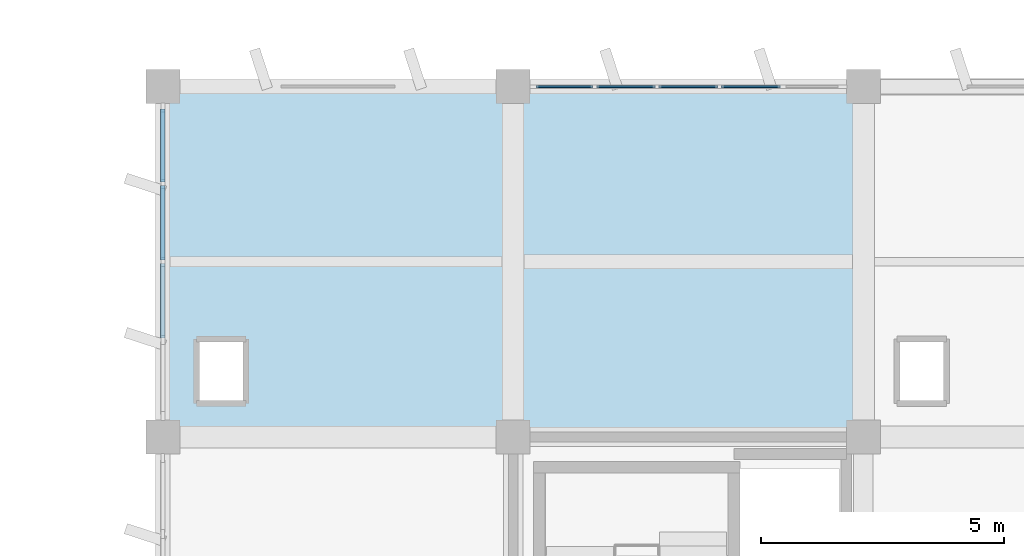
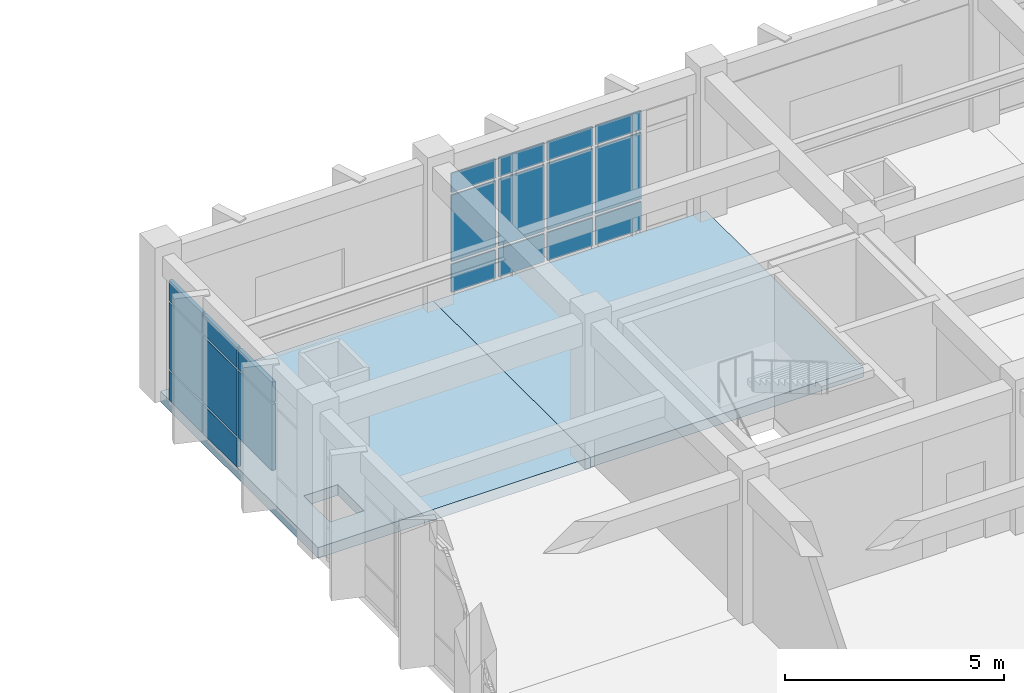
# One storey, part 41 of 70: 20 plates, 2 slabs, 2 elements without a shape of their own.
"""IFC4 building model written with IfcOpenShell, lengths in metres."""

from ifc_helpers import new_model, si_unit, direction, frame, origin, origin_2d, place, context, subcontext, project, spatial, polyline, rectangle, outline, extrude, material, layer, layer_set, type_object, element, aggregate, save


model = new_model("IFC4")

# Units and contexts
model_context = context("Model", 3, precision=1e-05, world=origin(), true_north=direction((0.0, 1.0)))
body_context = subcontext(model_context, "Body", "Model", "MODEL_VIEW")
ifc_project = project(units=[si_unit("LENGTHUNIT", "METRE"), si_unit("AREAUNIT", "SQUARE_METRE"), si_unit("VOLUMEUNIT", "CUBIC_METRE"), si_unit("PLANEANGLEUNIT", "RADIAN"), si_unit("MASSUNIT", "GRAM", prefix="KILO")], contexts=[model_context])

# Site, building, storey
site_placement = place(None, origin())
site = spatial("IfcSite", under=ifc_project, at=site_placement, CompositionType="ELEMENT")
building_placement = place(site_placement, origin())
building = spatial("IfcBuilding", under=site, at=building_placement, Name="Kavelor Marine Aquarium", CompositionType="ELEMENT")
storey_placement = place(building_placement, frame((0.0, 0.0, 9.179931640625)))
storey = spatial("IfcBuildingStorey", under=building, at=storey_placement, Name="L02", CompositionType="ELEMENT", Elevation=9.179931640625)

# Curtain wall, plates
ifc_material_1 = material(Name="Thermally Broken Aluminium and Low-E Glass", Category="aluminium")
ifc_layer_1 = layer(ifc_material_1, 0.196044921875)
ifc_layer_set_1 = layer_set([ifc_layer_1], Name="CW-SYS7")
curtain_wall_type_1 = type_object("IfcCurtainWallType", Name="CW-SYS7", PredefinedType="USERDEFINED", material=ifc_layer_set_1)
curtain_wall_1_placement = place(storey_placement, origin())
curtain_wall_1 = element("IfcCurtainWall", 1, at=curtain_wall_1_placement, inside=storey, type_object=curtain_wall_type_1, Name="cw:x:L02:17_15", ObjectType="Curtain Wall", PredefinedType="USERDEFINED")
ifc_material_2 = material(Name="Solar-Control Double Low-E Glazing", Category="glass")
ifc_layer_2 = layer(ifc_material_2, 0.0380859375)
ifc_layer_set_2 = layer_set([ifc_layer_2], Name="CWP-07")
plate_type_1 = type_object("IfcPlateType", Name="CWP-07", PredefinedType="CURTAIN_PANEL", material=ifc_layer_set_2)
plate_1_placement = place(storey_placement, frame((126.65478515625, 110.800048828125, 0.074951171875), z_axis=(0.0, 0.0, 1.0), x_axis=(1.0, 0.0, 0.0)))
plate_1 = element("IfcPlate", 2, at=plate_1_placement, type_object=plate_type_1, Name="CW07 panel 1.1", PredefinedType="CURTAIN_PANEL", context=body_context, shape_type="SweptSolid", body=[
    extrude(rectangle(XDim=1.16943359375, YDim=0.0380859375, at=origin_2d()), origin(), (0.0, 0.0, 1.0), 0.78759765625),
])
plate_2_placement = place(storey_placement, frame((126.65478515625, 110.800048828125, 0.9375), z_axis=(0.0, 0.0, 1.0), x_axis=(1.0, 0.0, 0.0)))
plate_2 = element("IfcPlate", 3, at=plate_2_placement, type_object=plate_type_1, Name="CW07 panel 1.2", PredefinedType="CURTAIN_PANEL", context=body_context, shape_type="SweptSolid", body=[
    extrude(rectangle(XDim=1.16943359375, YDim=0.0380859375, at=origin_2d()), origin(), (0.0, 0.0, 1.0), 1.85498046875),
])
plate_3_placement = place(storey_placement, frame((126.65478515625, 110.800048828125, 2.867431640625), z_axis=(0.0, 0.0, 1.0), x_axis=(1.0, 0.0, 0.0)))
plate_3 = element("IfcPlate", 4, at=plate_3_placement, type_object=plate_type_1, Name="CW07 panel 1.3", PredefinedType="CURTAIN_PANEL", context=body_context, shape_type="SweptSolid", body=[
    extrude(rectangle(XDim=1.16943359375, YDim=0.0380859375, at=origin_2d()), origin(), (0.0, 0.0, 1.0), 0.53759765625),
])
plate_4_placement = place(storey_placement, frame((127.91796875, 110.800048828125, 0.074951171875), z_axis=(0.0, 0.0, 1.0), x_axis=(1.0, 0.0, 0.0)))
plate_4 = element("IfcPlate", 5, at=plate_4_placement, type_object=plate_type_1, Name="CW07 panel 2.1", PredefinedType="CURTAIN_PANEL", context=body_context, shape_type="SweptSolid", body=[
    extrude(rectangle(XDim=1.20703125, YDim=0.0380859375, at=origin_2d()), origin(), (0.0, 0.0, 1.0), 0.78759765625),
])
plate_5_placement = place(storey_placement, frame((127.91796875, 110.800048828125, 0.9375), z_axis=(0.0, 0.0, 1.0), x_axis=(1.0, 0.0, 0.0)))
plate_5 = element("IfcPlate", 6, at=plate_5_placement, type_object=plate_type_1, Name="CW07 panel 2.2", PredefinedType="CURTAIN_PANEL", context=body_context, shape_type="SweptSolid", body=[
    extrude(rectangle(XDim=1.20703125, YDim=0.0380859375, at=origin_2d()), origin(), (0.0, 0.0, 1.0), 1.85498046875),
])
plate_6_placement = place(storey_placement, frame((127.91796875, 110.800048828125, 2.867431640625), z_axis=(0.0, 0.0, 1.0), x_axis=(1.0, 0.0, 0.0)))
plate_6 = element("IfcPlate", 7, at=plate_6_placement, type_object=plate_type_1, Name="CW07 panel 2.3", PredefinedType="CURTAIN_PANEL", context=body_context, shape_type="SweptSolid", body=[
    extrude(rectangle(XDim=1.20703125, YDim=0.0380859375, at=origin_2d()), origin(), (0.0, 0.0, 1.0), 0.53759765625),
])
plate_7_placement = place(storey_placement, frame((129.199951171875, 110.800048828125, 0.074951171875), z_axis=(0.0, 0.0, 1.0), x_axis=(1.0, 0.0, 0.0)))
plate_7 = element("IfcPlate", 8, at=plate_7_placement, type_object=plate_type_1, Name="CW07 panel 3.1", PredefinedType="CURTAIN_PANEL", context=body_context, shape_type="SweptSolid", body=[
    extrude(rectangle(XDim=1.20703125, YDim=0.0380859375, at=origin_2d()), origin(), (0.0, 0.0, 1.0), 0.78759765625),
])
plate_8_placement = place(storey_placement, frame((129.199951171875, 110.800048828125, 0.9375), z_axis=(0.0, 0.0, 1.0), x_axis=(1.0, 0.0, 0.0)))
plate_8 = element("IfcPlate", 9, at=plate_8_placement, type_object=plate_type_1, Name="CW07 panel 3.2", PredefinedType="CURTAIN_PANEL", context=body_context, shape_type="SweptSolid", body=[
    extrude(rectangle(XDim=1.20703125, YDim=0.0380859375, at=origin_2d()), origin(), (0.0, 0.0, 1.0), 1.85498046875),
])
plate_9_placement = place(storey_placement, frame((129.199951171875, 110.800048828125, 2.867431640625), z_axis=(0.0, 0.0, 1.0), x_axis=(1.0, 0.0, 0.0)))
plate_9 = element("IfcPlate", 10, at=plate_9_placement, type_object=plate_type_1, Name="CW07 panel 3.3", PredefinedType="CURTAIN_PANEL", context=body_context, shape_type="SweptSolid", body=[
    extrude(rectangle(XDim=1.20703125, YDim=0.0380859375, at=origin_2d()), origin(), (0.0, 0.0, 1.0), 0.53759765625),
])
plate_10_placement = place(storey_placement, frame((130.48193359375, 110.800048828125, 0.074951171875), z_axis=(0.0, 0.0, 1.0), x_axis=(1.0, 0.0, 0.0)))
plate_10 = element("IfcPlate", 11, at=plate_10_placement, type_object=plate_type_1, Name="CW07 panel 4.1", PredefinedType="CURTAIN_PANEL", context=body_context, shape_type="SweptSolid", body=[
    extrude(rectangle(XDim=1.20703125, YDim=0.0380859375, at=origin_2d()), origin(), (0.0, 0.0, 1.0), 0.78759765625),
])
plate_11_placement = place(storey_placement, frame((130.48193359375, 110.800048828125, 0.9375), z_axis=(0.0, 0.0, 1.0), x_axis=(1.0, 0.0, 0.0)))
plate_11 = element("IfcPlate", 12, at=plate_11_placement, type_object=plate_type_1, Name="CW07 panel 4.2", PredefinedType="CURTAIN_PANEL", context=body_context, shape_type="SweptSolid", body=[
    extrude(rectangle(XDim=1.20703125, YDim=0.0380859375, at=origin_2d()), origin(), (0.0, 0.0, 1.0), 1.85498046875),
])
plate_12_placement = place(storey_placement, frame((130.48193359375, 110.800048828125, 2.867431640625), z_axis=(0.0, 0.0, 1.0), x_axis=(1.0, 0.0, 0.0)))
plate_12 = element("IfcPlate", 13, at=plate_12_placement, type_object=plate_type_1, Name="CW07 panel 4.3", PredefinedType="CURTAIN_PANEL", context=body_context, shape_type="SweptSolid", body=[
    extrude(rectangle(XDim=1.20703125, YDim=0.0380859375, at=origin_2d()), origin(), (0.0, 0.0, 1.0), 0.53759765625),
])
aggregate(curtain_wall_1, [plate_1, plate_2, plate_3, plate_4, plate_5, plate_6, plate_7, plate_8, plate_9, plate_10, plate_11, plate_12])

ifc_material_3 = material(Name="Thermally Broken Aluminium and Low-E Glass", Category="aluminium")
ifc_layer_3 = layer(ifc_material_3, 0.22802734375)
ifc_layer_set_3 = layer_set([ifc_layer_3], Name="CW-SYS11")
curtain_wall_type_2 = type_object("IfcCurtainWallType", Name="CW-SYS11", PredefinedType="USERDEFINED", material=ifc_layer_set_3)
curtain_wall_2_placement = place(storey_placement, origin())
curtain_wall_2 = element("IfcCurtainWall", 14, at=curtain_wall_2_placement, inside=storey, type_object=curtain_wall_type_2, Name="cw:y:L02:16_14", ObjectType="Curtain Wall", PredefinedType="USERDEFINED")
ifc_material_4 = material(Name="Laminated Cast Acrylic Viewing Glazing", Category="glass")
ifc_layer_4 = layer(ifc_material_4, 0.093994140625)
ifc_layer_set_4 = layer_set([ifc_layer_4], Name="CWP-35")
plate_type_2 = type_object("IfcPlateType", Name="CWP-35", PredefinedType="CURTAIN_PANEL", material=ifc_layer_set_4)
plate_13_placement = place(storey_placement, frame((118.39990234375, 109.58740234375, 0.06005859375), z_axis=(0.0, 0.0, 1.0), x_axis=(0.0, -1.0, 0.0)))
plate_13 = element("IfcPlate", 15, at=plate_13_placement, type_object=plate_type_2, Name="CW11 panel 1.1", PredefinedType="CURTAIN_PANEL", context=body_context, shape_type="SweptSolid", body=[
    extrude(rectangle(XDim=1.5048828125, YDim=0.093994140625, at=origin_2d()), origin(), (0.0, 0.0, 1.0), 0.81005859375),
])
plate_14_placement = place(storey_placement, frame((118.39990234375, 109.58740234375, 0.929931640625), z_axis=(0.0, 0.0, 1.0), x_axis=(0.0, -1.0, 0.0)))
plate_14 = element("IfcPlate", 16, at=plate_14_placement, type_object=plate_type_2, Name="CW11 panel 1.2", PredefinedType="CURTAIN_PANEL", context=body_context, shape_type="SweptSolid", body=[
    extrude(rectangle(XDim=1.5048828125, YDim=0.093994140625, at=origin_2d()), origin(), (0.0, 0.0, 1.0), 1.85009765625),
])
plate_15_placement = place(storey_placement, frame((118.39990234375, 109.58740234375, 2.840087890625), z_axis=(0.0, 0.0, 1.0), x_axis=(0.0, -1.0, 0.0)))
plate_15 = element("IfcPlate", 17, at=plate_15_placement, type_object=plate_type_2, Name="CW11 panel 1.3", PredefinedType="CURTAIN_PANEL", context=body_context, shape_type="SweptSolid", body=[
    extrude(rectangle(XDim=1.5048828125, YDim=0.093994140625, at=origin_2d()), origin(), (0.0, 0.0, 1.0), 0.56005859375),
])
plate_16_placement = place(storey_placement, frame((118.39990234375, 108.001220703125, 0.06005859375), z_axis=(0.0, 0.0, 1.0), x_axis=(0.0, -1.0, 0.0)))
plate_16 = element("IfcPlate", 18, at=plate_16_placement, type_object=plate_type_2, Name="CW11 panel 2.1", PredefinedType="CURTAIN_PANEL", context=body_context, shape_type="SweptSolid", body=[
    extrude(rectangle(XDim=1.53759765625, YDim=0.093994140625, at=origin_2d()), origin(), (0.0, 0.0, 1.0), 0.81005859375),
])
plate_17_placement = place(storey_placement, frame((118.39990234375, 108.001220703125, 0.929931640625), z_axis=(0.0, 0.0, 1.0), x_axis=(0.0, -1.0, 0.0)))
plate_17 = element("IfcPlate", 19, at=plate_17_placement, type_object=plate_type_2, Name="CW11 panel 2.2", PredefinedType="CURTAIN_PANEL", context=body_context, shape_type="SweptSolid", body=[
    extrude(rectangle(XDim=1.53759765625, YDim=0.093994140625, at=origin_2d()), origin(), (0.0, 0.0, 1.0), 1.85009765625),
])
plate_18_placement = place(storey_placement, frame((118.39990234375, 108.001220703125, 2.840087890625), z_axis=(0.0, 0.0, 1.0), x_axis=(0.0, -1.0, 0.0)))
plate_18 = element("IfcPlate", 20, at=plate_18_placement, type_object=plate_type_2, Name="CW11 panel 2.3", PredefinedType="CURTAIN_PANEL", context=body_context, shape_type="SweptSolid", body=[
    extrude(rectangle(XDim=1.53759765625, YDim=0.093994140625, at=origin_2d()), origin(), (0.0, 0.0, 1.0), 0.56005859375),
])
plate_19_placement = place(storey_placement, frame((118.39990234375, 106.398681640625, 0.929931640625), z_axis=(0.0, 0.0, 1.0), x_axis=(0.0, -1.0, 0.0)))
plate_19 = element("IfcPlate", 21, at=plate_19_placement, type_object=plate_type_2, Name="CW11 panel 3.2", PredefinedType="CURTAIN_PANEL", context=body_context, shape_type="SweptSolid", body=[
    extrude(rectangle(XDim=1.53759765625, YDim=0.093994140625, at=origin_2d()), origin(), (0.0, 0.0, 1.0), 1.85009765625),
])
plate_20_placement = place(storey_placement, frame((118.39990234375, 106.398681640625, 2.840087890625), z_axis=(0.0, 0.0, 1.0), x_axis=(0.0, -1.0, 0.0)))
plate_20 = element("IfcPlate", 22, at=plate_20_placement, type_object=plate_type_2, Name="CW11 panel 3.3", PredefinedType="CURTAIN_PANEL", context=body_context, shape_type="SweptSolid", body=[
    extrude(rectangle(XDim=1.53759765625, YDim=0.093994140625, at=origin_2d()), origin(), (0.0, 0.0, 1.0), 0.56005859375),
])
aggregate(curtain_wall_2, [plate_13, plate_14, plate_15, plate_16, plate_17, plate_18, plate_19, plate_20])

# Slabs
ifc_material_5 = material(Name="Concrete C40/50", Category="concrete")
ifc_layer_5 = layer(ifc_material_5, 0.300048828125)
ifc_layer_set_5 = layer_set([ifc_layer_5], Name="SL-FL1")
slab_type_1 = type_object("IfcSlabType", Name="SL-FL1", PredefinedType="FLOOR", material=ifc_layer_set_5)
slab_1_placement = place(storey_placement, frame((0.0, 0.0, -0.300048828125)))
element("IfcSlab", 23, at=slab_1_placement, inside=storey, type_object=slab_type_1, Name="slab:L02:16_14", PredefinedType="FLOOR", context=body_context, shape_type="SweptSolid", body=[
    extrude(outline(polyline([(118.39990234375, 103.60009765625), (125.60009765625, 103.60009765625), (125.60009765625, 110.800048828125), (118.39990234375, 110.800048828125), (118.39990234375, 103.60009765625)]), holes=[polyline([(119.14990234375, 104.35009765625), (120.050048828125, 104.35009765625), (120.050048828125, 105.550048828125), (119.14990234375, 105.550048828125), (119.14990234375, 104.35009765625)])]), origin(), (0.0, 0.0, 1.0), 0.300048828125),
])
ifc_material_6 = material(Name="Concrete C40/50", Category="concrete")
ifc_layer_6 = layer(ifc_material_6, 0.280029296875)
ifc_layer_set_6 = layer_set([ifc_layer_6], Name="SL-FL2")
slab_type_2 = type_object("IfcSlabType", Name="SL-FL2", PredefinedType="FLOOR", material=ifc_layer_set_6)
slab_2_placement = place(storey_placement, frame((0.0, 0.0, -0.280029296875)))
element("IfcSlab", 24, at=slab_2_placement, inside=storey, type_object=slab_type_2, Name="slab:L02:17_14", PredefinedType="FLOOR", context=body_context, shape_type="SweptSolid", body=[
    extrude(outline(polyline([(125.60009765625, 103.60009765625), (132.800048828125, 103.60009765625), (132.800048828125, 110.800048828125), (125.60009765625, 110.800048828125), (125.60009765625, 103.60009765625)])), origin(), (0.0, 0.0, 1.0), 0.280029296875),
])

save(model, "model.ifc")
